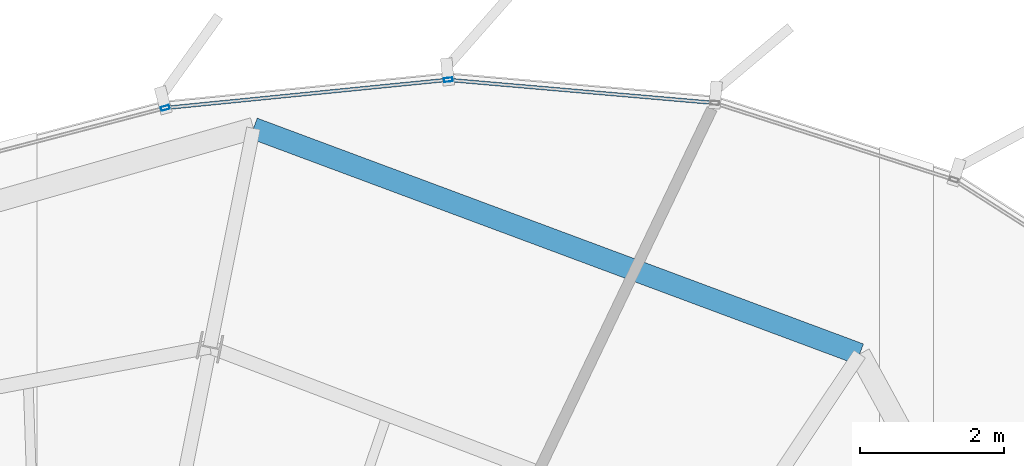
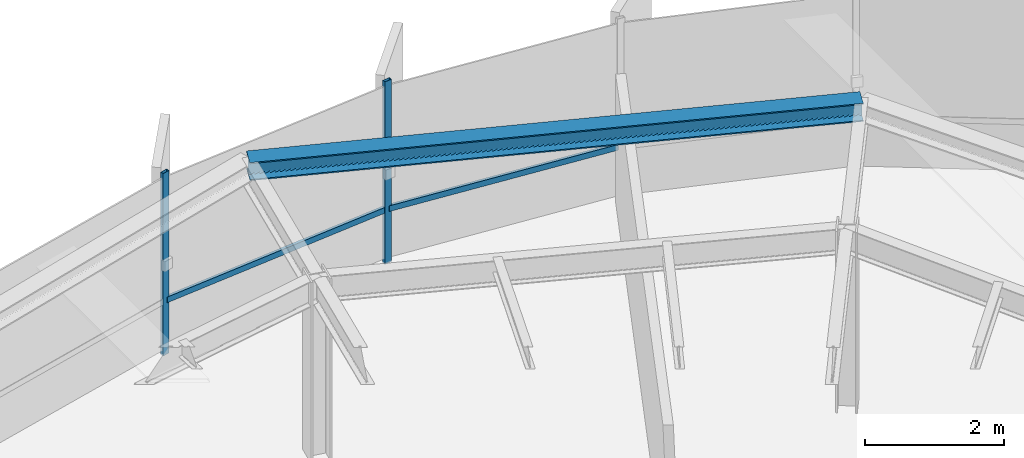
# One storey, part 22 of 33: 4 members, 1 beam, 1 element without a shape of its own.
"""IFC4 building model written with IfcOpenShell, lengths in metres."""

from ifc_helpers import new_model, si_unit, direction, frame, origin, origin_2d, place, context, subcontext, project, spatial, hollow_rectangle, i_section, extrude, source, transform, mapped, material, layer, layer_set, material_profile, profile_set, type_object, element, aggregate, save


model = new_model("IFC4")

# Units and contexts
model_context = context("Model", 3, precision=1e-05, world=origin(), true_north=direction((0.0, 1.0)))
body_context = subcontext(model_context, "Body", "Model", "MODEL_VIEW")
ifc_project = project(units=[si_unit("LENGTHUNIT", "METRE"), si_unit("AREAUNIT", "SQUARE_METRE"), si_unit("VOLUMEUNIT", "CUBIC_METRE"), si_unit("PLANEANGLEUNIT", "RADIAN"), si_unit("MASSUNIT", "GRAM", prefix="KILO"), si_unit("THERMODYNAMICTEMPERATUREUNIT", "KELVIN")], contexts=[model_context])

# Site, building, storey
site_placement = place(None, origin())
site = spatial("IfcSite", under=ifc_project, at=site_placement, CompositionType="ELEMENT")
building_placement = place(site_placement, origin())
building = spatial("IfcBuilding", under=site, at=building_placement, Name="Kethvar Cultural Tower", CompositionType="ELEMENT")
storey_placement = place(building_placement, frame((0.0, 0.0, 235.300048828125)))
storey = spatial("IfcBuildingStorey", under=building, at=storey_placement, Name="L61", CompositionType="ELEMENT", Elevation=235.300048828125)

# Beam
ifc_material_1 = material(Name="Steel S355J2", Category="steel")
ifc_material_profile_1 = material_profile(ifc_material_1, i_section(OverallWidth=0.300048828125, OverallDepth=0.320068359375, WebThickness=0.011474609375, FlangeThickness=0.0205078125, FilletRadius=0.027099609375, at=origin_2d()), Name="Steel S355J2 — HEB320")
ifc_profile_set_1 = profile_set([ifc_material_profile_1], Name="Steel S355J2 — HEB320")
beam_type = type_object("IfcBeamType", Name="BM-SP320", PredefinedType="SPANDREL", material=ifc_profile_set_1)
shared_shape_1 = source(origin(), body_context, "Body", "SweptSolid", [
    extrude(i_section(OverallWidth=0.300048828125, OverallDepth=0.320068359375, WebThickness=0.011474609375, FlangeThickness=0.0205078125, FilletRadius=0.027099609375, at=origin_2d()), origin(), (0.0, 0.0, 1.0), 8.96826171875),
])
beam_placement = place(storey_placement, frame((59.653076171875, 47.035888671875, 3.0478515625), z_axis=(-0.937105511901, 0.349046214083, 0.0), x_axis=(-0.349046214083, -0.937105511901, 0.0)))
element("IfcBeam", 1, at=beam_placement, inside=storey, type_object=beam_type, Name="L61 Perimeter Spandrel Beam SP-03", PredefinedType="SPANDREL", context=body_context, shape_type="MappedRepresentation", body=[
    mapped(shared_shape_1, transform((0.0, 0.0, 0.0), scale=1.0)),
])

# Curtain wall, members
ifc_material_2 = material(Name="Aluminium 6063-T6", Category="aluminium")
ifc_layer = layer(ifc_material_2, 0.179931640625, Name="Aluminium 6063-T6", Category="aluminium")
ifc_layer_set = layer_set([ifc_layer], Name="Aluminium 6063-T6 (180 mm)")
curtain_wall_type = type_object("IfcCurtainWallType", Name="CW-SYS-05-Z56", PredefinedType="NOTDEFINED", material=ifc_layer_set)
curtain_wall_placement = place(storey_placement, origin())
curtain_wall = element("IfcCurtainWall", 2, at=curtain_wall_placement, inside=storey, type_object=curtain_wall_type, Name="L61 Curtain Wall Run 01", PredefinedType="NOTDEFINED")
ifc_material_profile_2 = material_profile(ifc_material_2, hollow_rectangle(XDim=0.054931640625, YDim=0.1201171875, WallThickness=0.00390625, at=origin_2d()), Name="Aluminium 6063-T6 — RHS120x55x4")
ifc_profile_set_2 = profile_set([ifc_material_profile_2], Name="Aluminium 6063-T6 — RHS120x55x4")
member_type_1 = type_object("IfcMemberType", Name="CW-SYS-05-Z56-MUL", PredefinedType="MULLION", material=ifc_profile_set_2)
shared_shape_2 = source(origin(), body_context, "Body", "SweptSolid", [
    extrude(hollow_rectangle(XDim=0.054931640625, YDim=0.1201171875, WallThickness=0.00390625, at=origin_2d()), origin(), (0.0, 0.0, 1.0), 3.2099609375),
])
member_1_placement = place(storey_placement, frame((53.950439453125, 50.8388671875, 0.0), z_axis=(0.0, 0.0, 1.0), x_axis=(0.099180812808, -0.995069427915, 0.0)))
member_1 = element("IfcMember", 3, at=member_1_placement, type_object=member_type_1, Name="CW-L61-R01 Mullion 4", PredefinedType="MULLION", context=body_context, shape_type="MappedRepresentation", body=[
    mapped(shared_shape_2, transform((0.0, 0.0, 0.0), scale=1.0)),
])
member_2_placement = place(storey_placement, frame((50.026123046875, 50.44873046875, 0.0), z_axis=(0.0, 0.0, 1.0), x_axis=(0.25274488521, -0.967532957062, 0.0)))
member_2 = element("IfcMember", 4, at=member_2_placement, type_object=member_type_1, Name="CW-L61-R01 Mullion 5", PredefinedType="MULLION", context=body_context, shape_type="MappedRepresentation", body=[
    mapped(shared_shape_2, transform((0.0, 0.0, 0.0), scale=1.0)),
])
ifc_material_profile_3 = material_profile(ifc_material_2, hollow_rectangle(XDim=0.050048828125, YDim=0.10009765625, WallThickness=0.00390625, at=origin_2d()), Name="Aluminium 6063-T6 — RHS100x50x4")
ifc_profile_set_3 = profile_set([ifc_material_profile_3], Name="Aluminium 6063-T6 — RHS100x50x4")
member_type_2 = type_object("IfcMemberType", Name="CW-SYS-05-Z56-TRN", PredefinedType="USERDEFINED", material=ifc_profile_set_3)
shared_shape_3 = source(origin(), body_context, "Body", "SweptSolid", [
    extrude(hollow_rectangle(XDim=0.050048828125, YDim=0.10009765625, WallThickness=0.00390625, at=origin_2d()), origin(), (0.0, 0.0, 1.0), 3.648193359375),
])
member_3_placement = place(storey_placement, frame((57.60595703125, 50.520751953125, 0.949951171875), z_axis=(-0.996278161579, 0.086196431256, 0.0), x_axis=(-0.086196431256, -0.996278161579, 0.0)))
member_3 = element("IfcMember", 5, at=member_3_placement, type_object=member_type_2, Name="CW-L61-R01 Transom 3", ObjectType="TRANSOM", PredefinedType="USERDEFINED", context=body_context, shape_type="MappedRepresentation", body=[
    mapped(shared_shape_3, transform((0.0, 0.0, 0.0), scale=1.0)),
])
shared_shape_4 = source(origin(), body_context, "Body", "SweptSolid", [
    extrude(hollow_rectangle(XDim=0.050048828125, YDim=0.10009765625, WallThickness=0.00390625, at=origin_2d()), origin(), (0.0, 0.0, 1.0), 3.8798828125),
])
member_4_placement = place(storey_placement, frame((53.9111328125, 50.8349609375, 0.949951171875), z_axis=(-0.995064564458, -0.099229595178, 0.0), x_axis=(0.099229595178, -0.995064564458, 0.0)))
member_4 = element("IfcMember", 6, at=member_4_placement, type_object=member_type_2, Name="CW-L61-R01 Transom 4", ObjectType="TRANSOM", PredefinedType="USERDEFINED", context=body_context, shape_type="MappedRepresentation", body=[
    mapped(shared_shape_4, transform((0.0, 0.0, 0.0), scale=1.0)),
])
aggregate(curtain_wall, [member_1, member_2, member_3, member_4])

save(model, "model.ifc")
